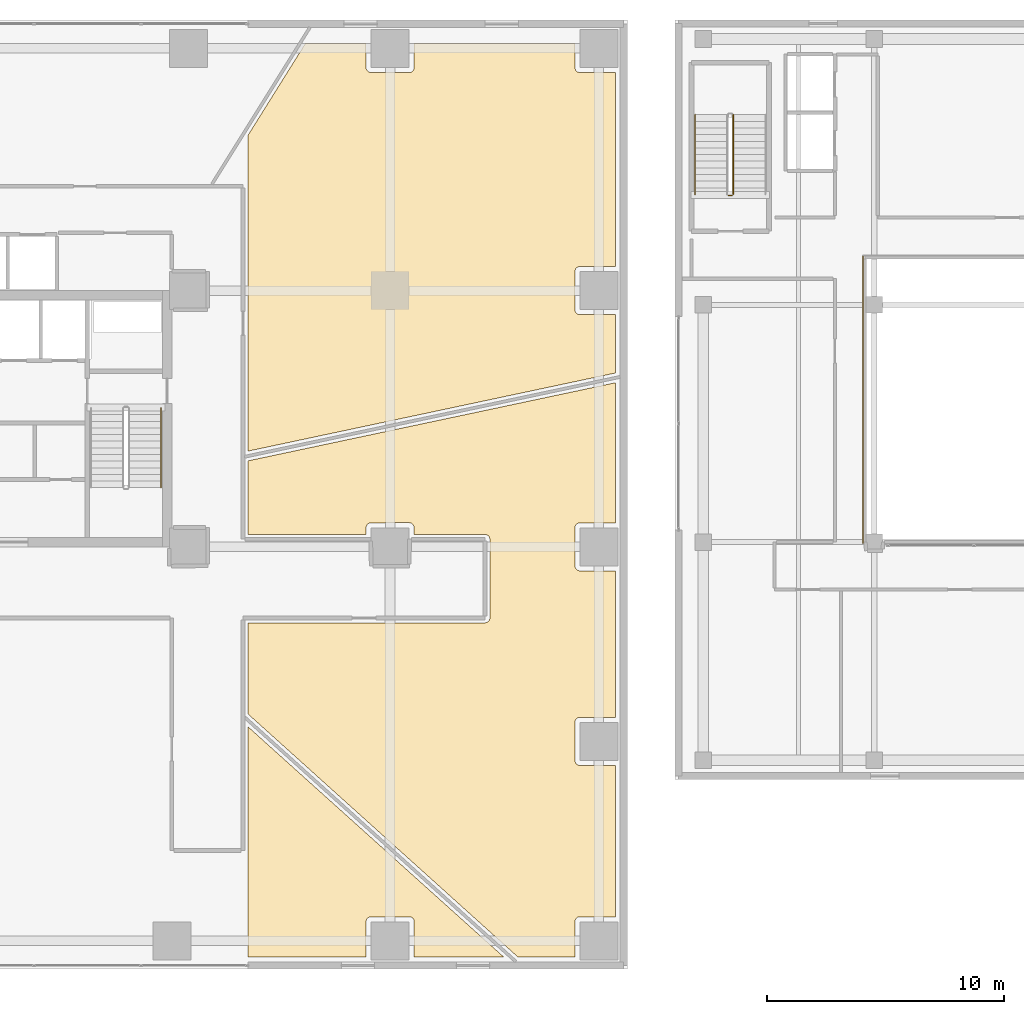
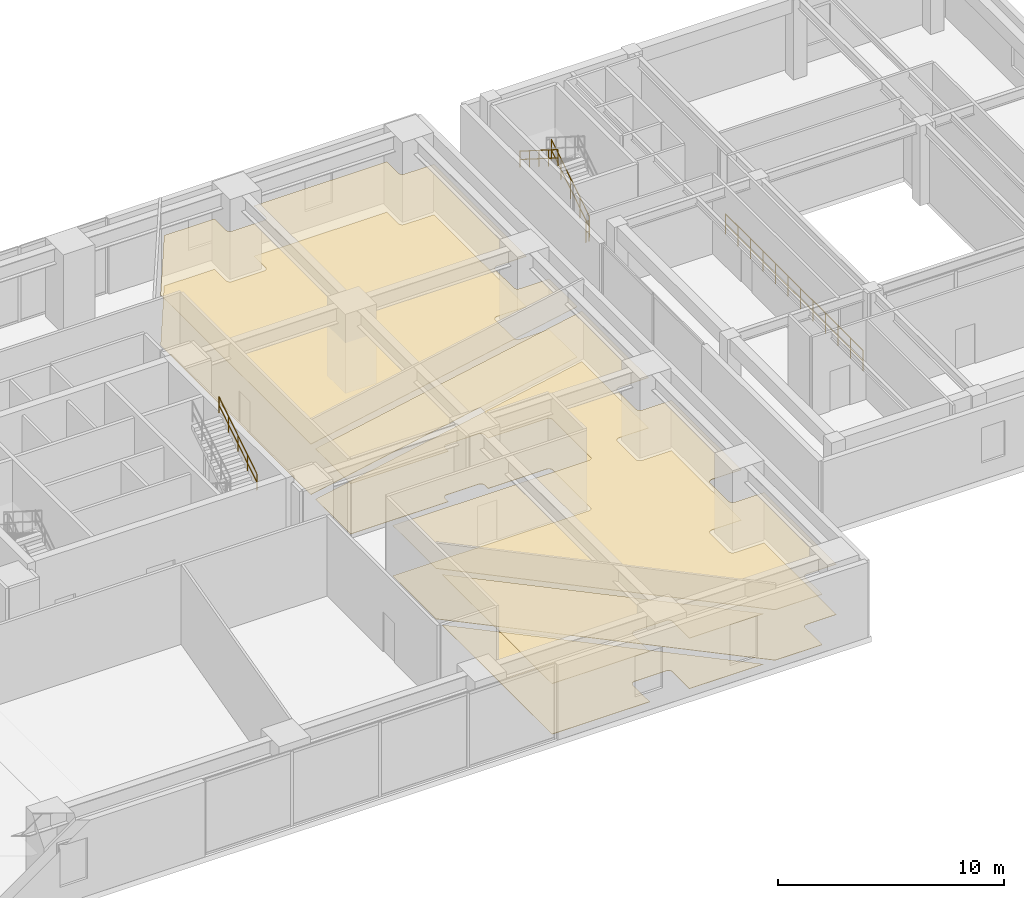
# One storey, part 23 of 24: 6 coverings, 5 railings.
"""IFC4 building model written with IfcOpenShell, lengths in metres."""

from ifc_helpers import new_model, si_unit, direction, frame, origin, origin_2d, place, context, subcontext, project, spatial, polyline, circle, outline, extrude, material, layer, layer_set, type_object, element, save


model = new_model("IFC4")

# Units and contexts
model_context = context("Model", 3, precision=1e-05, world=origin(), true_north=direction((0.0, 1.0)))
body_context = subcontext(model_context, "Body", "Model", "MODEL_VIEW")
ifc_project = project(units=[si_unit("LENGTHUNIT", "METRE"), si_unit("AREAUNIT", "SQUARE_METRE"), si_unit("VOLUMEUNIT", "CUBIC_METRE"), si_unit("PLANEANGLEUNIT", "RADIAN"), si_unit("MASSUNIT", "GRAM", prefix="KILO")], contexts=[model_context])

# Site, building, storey
site_placement = place(None, origin())
site = spatial("IfcSite", under=ifc_project, at=site_placement, CompositionType="ELEMENT")
building_placement = place(site_placement, origin())
building = spatial("IfcBuilding", under=site, at=building_placement, Name="Talar Marvaseh", CompositionType="ELEMENT")
storey_placement = place(building_placement, frame((0.0, 0.0, 9.800048828125)))
storey = spatial("IfcBuildingStorey", under=building, at=storey_placement, Name="L02", CompositionType="ELEMENT", Elevation=9.800048828125)

# Railings
ifc_material_1 = material(Name="Stainless Steel Grade 316", Category="steel")
railing_type_1 = type_object("IfcRailingType", Name="Brushed Stainless Wall Pitch Handrail 900", PredefinedType="HANDRAIL", material=ifc_material_1)
railing_1_placement = place(storey_placement, frame((32.35009765625, 28.2900390625, 2.476806640625)))
element("IfcRailing", 1, at=railing_1_placement, inside=storey, type_object=railing_type_1, Name="L02 ST-2 stair handrail 2", PredefinedType="HANDRAIL", context=body_context, shape_type="SweptSolid", body=[
    extrude(circle(Radius=0.02392578125, at=origin_2d()), frame((0.0, 0.0, 0.8759765625), z_axis=(0.0, 0.845372108799, 0.534177870812), x_axis=(-1.0, 0.0, 0.0)), (0.0, 0.0, 1.0), 3.974365234375),
    extrude(circle(Radius=0.02392578125, at=origin_2d()), frame((0.0, 0.0, 0.42578125), z_axis=(0.0, 0.845372108799, 0.534177870812), x_axis=(-1.0, 0.0, 0.0)), (0.0, 0.0, 1.0), 3.974365234375),
    extrude(circle(Radius=0.02099609375, at=origin_2d()), origin(), (0.0, 0.0, 1.0), 0.851806640625),
    extrude(circle(Radius=0.02099609375, at=origin_2d()), frame((0.0, 0.83984375, 0.53076171875)), (0.0, 0.0, 1.0), 0.851806640625),
    extrude(circle(Radius=0.02099609375, at=origin_2d()), frame((0.0, 1.679931640625, 1.0615234375)), (0.0, 0.0, 1.0), 0.851806640625),
    extrude(circle(Radius=0.02099609375, at=origin_2d()), frame((0.0, 2.52001953125, 1.59228515625)), (0.0, 0.0, 1.0), 0.851806640625),
    extrude(circle(Radius=0.02099609375, at=origin_2d()), frame((0.0, 3.35986328125, 2.123046875)), (0.0, 0.0, 1.0), 0.851806640625),
])
railing_2_placement = place(storey_placement, frame((54.85009765625, 44.010009765625, 2.476806640625)))
element("IfcRailing", 2, at=railing_2_placement, inside=storey, type_object=railing_type_1, Name="L02 MH-ST1 stair handrail 2", PredefinedType="HANDRAIL", context=body_context, shape_type="SweptSolid", body=[
    extrude(circle(Radius=0.02392578125, at=origin_2d()), frame((0.0, 0.0, 0.8759765625), z_axis=(0.0, -0.845389635667, 0.534150132366), x_axis=(1.0, 0.0, 0.0)), (0.0, 0.0, 1.0), 3.974609375),
    extrude(circle(Radius=0.02392578125, at=origin_2d()), frame((0.0, 0.0, 0.42578125), z_axis=(0.0, -0.845389635667, 0.534150132366), x_axis=(1.0, 0.0, 0.0)), (0.0, 0.0, 1.0), 3.974609375),
    extrude(circle(Radius=0.02099609375, at=origin_2d()), origin(), (0.0, 0.0, 1.0), 0.851806640625),
    extrude(circle(Radius=0.02099609375, at=origin_2d()), frame((0.0, -0.840087890625, 0.53076171875)), (0.0, 0.0, 1.0), 0.851806640625),
    extrude(circle(Radius=0.02099609375, at=origin_2d()), frame((0.0, -1.68017578125, 1.0615234375)), (0.0, 0.0, 1.0), 0.851806640625),
    extrude(circle(Radius=0.02099609375, at=origin_2d()), frame((0.0, -2.52001953125, 1.59228515625)), (0.0, 0.0, 1.0), 0.851806640625),
    extrude(circle(Radius=0.02099609375, at=origin_2d()), frame((0.0, -3.360107421875, 2.123046875)), (0.0, 0.0, 1.0), 0.851806640625),
])
ifc_material_2 = material(Name="Tempered Clear Glass", Category="glass")
railing_type_2 = type_object("IfcRailingType", Name="Interior Atrium Edge Balustrade 1120", PredefinedType="BALUSTRADE", material=ifc_material_2)
railing_3_placement = place(storey_placement, frame((61.919921875, 38.080078125, 0.0)))
element("IfcRailing", 3, at=railing_3_placement, inside=storey, type_object=railing_type_2, Name="L02 Market Courtyard Void Balustrade 4", PredefinedType="BALUSTRADE", context=body_context, shape_type="SweptSolid", body=[
    extrude(circle(Radius=0.02392578125, at=origin_2d()), frame((0.0, 0.0, 1.09619140625), z_axis=(0.0, -1.0, 0.0), x_axis=(1.0, 0.0, 0.0)), (0.0, 0.0, 1.0), 12.16015625),
    extrude(circle(Radius=0.02392578125, at=origin_2d()), frame((0.0, 0.0, 0.5361328125), z_axis=(0.0, -1.0, 0.0), x_axis=(1.0, 0.0, 0.0)), (0.0, 0.0, 1.0), 12.16015625),
    extrude(circle(Radius=0.02099609375, at=origin_2d()), origin(), (0.0, 0.0, 1.0), 1.072021484375),
    extrude(circle(Radius=0.02099609375, at=origin_2d()), frame((0.0, -1.10546875, 0.0)), (0.0, 0.0, 1.0), 1.072021484375),
    extrude(circle(Radius=0.02099609375, at=origin_2d()), frame((0.0, -2.2109375, 0.0)), (0.0, 0.0, 1.0), 1.072021484375),
    extrude(circle(Radius=0.02099609375, at=origin_2d()), frame((0.0, -3.31640625, 0.0)), (0.0, 0.0, 1.0), 1.072021484375),
    extrude(circle(Radius=0.02099609375, at=origin_2d()), frame((0.0, -4.421875, 0.0)), (0.0, 0.0, 1.0), 1.072021484375),
    extrude(circle(Radius=0.02099609375, at=origin_2d()), frame((0.0, -5.52734375, 0.0)), (0.0, 0.0, 1.0), 1.072021484375),
    extrude(circle(Radius=0.02099609375, at=origin_2d()), frame((0.0, -6.6328125, 0.0)), (0.0, 0.0, 1.0), 1.072021484375),
    extrude(circle(Radius=0.02099609375, at=origin_2d()), frame((0.0, -7.73828125, 0.0)), (0.0, 0.0, 1.0), 1.072021484375),
    extrude(circle(Radius=0.02099609375, at=origin_2d()), frame((0.0, -8.84375, 0.0)), (0.0, 0.0, 1.0), 1.072021484375),
    extrude(circle(Radius=0.02099609375, at=origin_2d()), frame((0.0, -9.94921875, 0.0)), (0.0, 0.0, 1.0), 1.072021484375),
    extrude(circle(Radius=0.02099609375, at=origin_2d()), frame((0.0, -11.0546875, 0.0)), (0.0, 0.0, 1.0), 1.072021484375),
    extrude(circle(Radius=0.02099609375, at=origin_2d()), frame((0.0, -12.16015625, 0.0)), (0.0, 0.0, 1.0), 1.072021484375),
])
railing_type_3 = type_object("IfcRailingType", Name="Painted Steel Core Stair Well Guardrail 1150", PredefinedType="GUARDRAIL", material=ifc_material_1)
railing_4_placement = place(storey_placement, frame((56.4599609375, 40.64990234375, 0.1767578125)))
element("IfcRailing", 4, at=railing_4_placement, inside=storey, type_object=railing_type_3, Name="L02 MH-ST1 stair guard 1", PredefinedType="GUARDRAIL", context=body_context, shape_type="SweptSolid", body=[
    extrude(circle(Radius=0.02392578125, at=origin_2d()), frame((0.0, 0.0, 1.1259765625), z_axis=(0.0, 0.845361898145, 0.534194029511), x_axis=(-1.0, 0.0, 0.0)), (0.0, 0.0, 1.0), 3.974853515625),
    extrude(circle(Radius=0.02392578125, at=origin_2d()), frame((0.0, 0.0, 0.55078125), z_axis=(0.0, 0.845361898145, 0.534194029511), x_axis=(-1.0, 0.0, 0.0)), (0.0, 0.0, 1.0), 3.974853515625),
    extrude(circle(Radius=0.02099609375, at=origin_2d()), origin(), (0.0, 0.0, 1.0), 1.101806640625),
    extrude(circle(Radius=0.02099609375, at=origin_2d()), frame((0.0, 0.840087890625, 0.53076171875)), (0.0, 0.0, 1.0), 1.101806640625),
    extrude(circle(Radius=0.02099609375, at=origin_2d()), frame((0.0, 1.68017578125, 1.0615234375)), (0.0, 0.0, 1.0), 1.101806640625),
    extrude(circle(Radius=0.02099609375, at=origin_2d()), frame((0.0, 2.52001953125, 1.592529296875)), (0.0, 0.0, 1.0), 1.101806640625),
    extrude(circle(Radius=0.02099609375, at=origin_2d()), frame((0.0, 3.360107421875, 2.123291015625)), (0.0, 0.0, 1.0), 1.101806640625),
])
railing_5_placement = place(storey_placement, frame((56.409912109375, 40.60009765625, 0.0)))
element("IfcRailing", 5, at=railing_5_placement, inside=storey, type_object=railing_type_3, Name="L02 MH-ST1 stair guard 4", PredefinedType="GUARDRAIL", context=body_context, shape_type="SweptSolid", body=[
    extrude(circle(Radius=0.02392578125, at=origin_2d()), frame((0.0, 0.0, 1.1259765625), z_axis=(-1.0, 0.0, 0.0), x_axis=(0.0, -1.0, 0.0)), (0.0, 0.0, 1.0), 0.159912109375),
    extrude(circle(Radius=0.02392578125, at=origin_2d()), frame((0.0, 0.0, 0.55078125), z_axis=(-1.0, 0.0, 0.0), x_axis=(0.0, -1.0, 0.0)), (0.0, 0.0, 1.0), 0.159912109375),
    extrude(circle(Radius=0.02099609375, at=origin_2d()), origin(), (0.0, 0.0, 1.0), 1.101806640625),
    extrude(circle(Radius=0.02099609375, at=origin_2d()), frame((-0.159912109375, 0.0, 0.0)), (0.0, 0.0, 1.0), 1.101806640625),
])

# Coverings
ifc_material_3 = material(Name="Mineral Fibre Acoustic Ceiling")
ifc_layer_1 = layer(ifc_material_3, 0.02490234375)
ifc_layer_set_1 = layer_set([ifc_layer_1], Name="Mineral Fibre Acoustic Ceiling")
covering_type_1 = type_object("IfcCoveringType", Name="Perforated Mineral Fibre Acoustic Suspended Ceiling", PredefinedType="CEILING", material=ifc_layer_set_1)
covering_1_placement = place(storey_placement, frame((0.0, 0.0, 2.719970703125)))
element("IfcCovering", 6, at=covering_1_placement, inside=storey, type_object=covering_type_1, Name="L02 Auditorium Pre-Function Foyer Acoustic Ceiling", PredefinedType="CEILING", context=body_context, shape_type="SweptSolid", body=[
    extrude(outline(polyline([(46.791748046875, 8.510009765625), (43.010498046875, 8.510009765625), (43.010498046875, 10.010498046875), (43.009521484375, 10.0302734375), (43.0068359375, 10.049560546875), (43.001953125, 10.068603515625), (42.995361328125, 10.087158203125), (42.987060546875, 10.10498046875), (42.976806640625, 10.12158203125), (42.965087890625, 10.137451171875), (42.951904296875, 10.152099609375), (42.9375, 10.165283203125), (42.921630859375, 10.177001953125), (42.90478515625, 10.18701171875), (42.88720703125, 10.1953125), (42.86865234375, 10.201904296875), (42.849609375, 10.206787109375), (42.830078125, 10.209716796875), (42.810546875, 10.210693359375), (41.189453125, 10.210693359375), (41.169921875, 10.209716796875), (41.150390625, 10.206787109375), (41.13134765625, 10.201904296875), (41.113037109375, 10.1953125), (41.09521484375, 10.18701171875), (41.07861328125, 10.177001953125), (41.062744140625, 10.165283203125), (41.048095703125, 10.152099609375), (41.034912109375, 10.1376953125), (41.023193359375, 10.1220703125), (41.01318359375, 10.105224609375), (41.0048828125, 10.08740234375), (40.998046875, 10.069091796875), (40.993408203125, 10.050048828125), (40.990478515625, 10.03076171875), (40.989501953125, 10.010986328125), (40.9853515625, 8.510009765625), (36.0, 8.510009765625), (36.0, 13.0), (36.0, 18.226806640625), (46.791748046875, 8.510009765625)])), origin(), (0.0, 0.0, 1.0), 0.02490234375),
])
covering_2_placement = place(storey_placement, frame((0.0, 0.0, 2.719970703125)))
element("IfcCovering", 7, at=covering_2_placement, inside=storey, type_object=covering_type_1, Name="L02 Green Room and Performer Lounge Acoustic Ceiling", PredefinedType="CEILING", context=body_context, shape_type="SweptSolid", body=[
    extrude(outline(polyline([(36.0, 22.60009765625), (46.0, 22.60009765625), (46.01953125, 22.60107421875), (46.0390625, 22.603759765625), (46.05810546875, 22.608642578125), (46.076416015625, 22.615234375), (46.09423828125, 22.62353515625), (46.111083984375, 22.6337890625), (46.126953125, 22.6455078125), (46.141357421875, 22.65869140625), (46.154541015625, 22.673095703125), (46.166259765625, 22.68896484375), (46.176513671875, 22.705810546875), (46.184814453125, 22.723388671875), (46.19140625, 22.741943359375), (46.1962890625, 22.760986328125), (46.198974609375, 22.780517578125), (46.199951171875, 22.800048828125), (46.199951171875, 26.1201171875), (46.198974609375, 26.1396484375), (46.1962890625, 26.158935546875), (46.19140625, 26.177978515625), (46.184814453125, 26.196533203125), (46.176513671875, 26.21435546875), (46.166259765625, 26.231201171875), (46.154541015625, 26.246826171875), (46.141357421875, 26.261474609375), (46.126953125, 26.274658203125), (46.111083984375, 26.286376953125), (46.09423828125, 26.29638671875), (46.076416015625, 26.3046875), (46.05810546875, 26.311279296875), (46.0390625, 26.316162109375), (46.01953125, 26.319091796875), (46.0, 26.320068359375), (43.014892578125, 26.320068359375), (43.014892578125, 26.60009765625), (43.013916015625, 26.61962890625), (43.01123046875, 26.638916015625), (43.00634765625, 26.658203125), (42.999755859375, 26.676513671875), (42.991455078125, 26.6943359375), (42.981201171875, 26.711181640625), (42.969482421875, 26.726806640625), (42.956298828125, 26.741455078125), (42.94140625, 26.75634765625), (42.927001953125, 26.76953125), (42.9111328125, 26.78125), (42.894287109375, 26.79150390625), (42.87646484375, 26.7998046875), (42.85791015625, 26.806396484375), (42.839111328125, 26.811279296875), (42.819580078125, 26.81396484375), (42.7998046875, 26.81494140625), (41.195556640625, 26.814453125), (41.1767578125, 26.8134765625), (41.158203125, 26.810791015625), (41.14013671875, 26.806396484375), (41.122314453125, 26.800537109375), (41.105224609375, 26.79296875), (41.089111328125, 26.78369140625), (41.07373046875, 26.77294921875), (41.059326171875, 26.760986328125), (41.04638671875, 26.74755859375), (41.034423828125, 26.73291015625), (41.02392578125, 26.718505859375), (41.01220703125, 26.700927734375), (41.002685546875, 26.68212890625), (40.9951171875, 26.662353515625), (40.989501953125, 26.64208984375), (40.986083984375, 26.62109375), (40.985107421875, 26.60009765625), (40.985107421875, 26.320068359375), (36.0, 26.320068359375), (36.0, 29.421142578125), (51.489990234375, 32.713623046875), (51.489990234375, 26.810546875), (49.989501953125, 26.810546875), (49.9697265625, 26.8095703125), (49.950439453125, 26.806884765625), (49.931396484375, 26.802001953125), (49.9130859375, 26.79541015625), (49.895263671875, 26.787109375), (49.87841796875, 26.777099609375), (49.86279296875, 26.765380859375), (49.84814453125, 26.752197265625), (49.8349609375, 26.73779296875), (49.8232421875, 26.721923828125), (49.813232421875, 26.705078125), (49.8046875, 26.6875), (49.798095703125, 26.669189453125), (49.793212890625, 26.650146484375), (49.790283203125, 26.630615234375), (49.789306640625, 26.611083984375), (49.78515625, 24.9990234375), (49.785888671875, 24.98046875), (49.78857421875, 24.9619140625), (49.792724609375, 24.94384765625), (49.798583984375, 24.92626953125), (49.80615234375, 24.9091796875), (49.815185546875, 24.89306640625), (49.82568359375, 24.877685546875), (49.837646484375, 24.86328125), (49.850830078125, 24.850341796875), (49.86572265625, 24.8369140625), (49.8798828125, 24.824951171875), (49.895263671875, 24.814697265625), (49.911376953125, 24.8056640625), (49.92822265625, 24.79833984375), (49.94580078125, 24.79248046875), (49.9638671875, 24.788330078125), (49.982177734375, 24.785888671875), (50.00048828125, 24.784912109375), (51.489990234375, 24.7890625), (51.489990234375, 18.610595703125), (49.989501953125, 18.610595703125), (49.9697265625, 18.609619140625), (49.950439453125, 18.606689453125), (49.931396484375, 18.60205078125), (49.9130859375, 18.595458984375), (49.895263671875, 18.587158203125), (49.87841796875, 18.576904296875), (49.86279296875, 18.5654296875), (49.84814453125, 18.55224609375), (49.8349609375, 18.53759765625), (49.8232421875, 18.52197265625), (49.813232421875, 18.505126953125), (49.8046875, 18.487548828125), (49.798095703125, 18.468994140625), (49.793212890625, 18.4501953125), (49.790283203125, 18.4306640625), (49.789306640625, 18.4111328125), (49.78515625, 16.799072265625), (49.785888671875, 16.780517578125), (49.78857421875, 16.761962890625), (49.792724609375, 16.743896484375), (49.798583984375, 16.726318359375), (49.80615234375, 16.709228515625), (49.815185546875, 16.693115234375), (49.82568359375, 16.677734375), (49.837646484375, 16.663330078125), (49.850830078125, 16.650390625), (49.86572265625, 16.63671875), (49.8798828125, 16.625), (49.895263671875, 16.614501953125), (49.911376953125, 16.605712890625), (49.92822265625, 16.598388671875), (49.94580078125, 16.592529296875), (49.9638671875, 16.58837890625), (49.982177734375, 16.585693359375), (50.00048828125, 16.5849609375), (51.489990234375, 16.589111328125), (51.489990234375, 10.210693359375), (49.989501953125, 10.210693359375), (49.9697265625, 10.209716796875), (49.950439453125, 10.206787109375), (49.931396484375, 10.201904296875), (49.912841796875, 10.1953125), (49.89501953125, 10.18701171875), (49.87841796875, 10.177001953125), (49.862548828125, 10.165283203125), (49.847900390625, 10.152099609375), (49.834716796875, 10.137451171875), (49.822998046875, 10.12158203125), (49.81298828125, 10.10498046875), (49.8046875, 10.087158203125), (49.798095703125, 10.068603515625), (49.793212890625, 10.049560546875), (49.790283203125, 10.0302734375), (49.789306640625, 10.010498046875), (49.789306640625, 8.510009765625), (47.389404296875, 8.510009765625), (36.0, 18.764892578125), (36.0, 22.60009765625)])), origin(), (0.0, 0.0, 1.0), 0.02490234375),
])
covering_3_placement = place(storey_placement, frame((0.0, 0.0, 2.719970703125)))
element("IfcCovering", 8, at=covering_3_placement, inside=storey, type_object=covering_type_1, Name="L02 Stage Technical Control Office Acoustic Ceiling", PredefinedType="CEILING", context=body_context, shape_type="SweptSolid", body=[
    extrude(outline(polyline([(36.0, 43.1259765625), (38.4208984375, 47.0), (40.98779296875, 47.0), (40.985107421875, 45.9990234375), (40.98583984375, 45.98046875), (40.988525390625, 45.9619140625), (40.99267578125, 45.94384765625), (40.99853515625, 45.92626953125), (41.006103515625, 45.9091796875), (41.01513671875, 45.89306640625), (41.025634765625, 45.877685546875), (41.03759765625, 45.86328125), (41.05078125, 45.850341796875), (41.065673828125, 45.8369140625), (41.080078125, 45.824951171875), (41.09521484375, 45.814697265625), (41.111328125, 45.8056640625), (41.12841796875, 45.79833984375), (41.145751953125, 45.79248046875), (41.163818359375, 45.788330078125), (41.18212890625, 45.785888671875), (41.200439453125, 45.784912109375), (42.81103515625, 45.789306640625), (42.830810546875, 45.790283203125), (42.85009765625, 45.793212890625), (42.869140625, 45.798095703125), (42.887451171875, 45.8046875), (42.9052734375, 45.813232421875), (42.922119140625, 45.8232421875), (42.937744140625, 45.8349609375), (42.9521484375, 45.84814453125), (42.96533203125, 45.86279296875), (42.97705078125, 45.87841796875), (42.987060546875, 45.895263671875), (42.995361328125, 45.9130859375), (43.001953125, 45.931396484375), (43.0068359375, 45.950439453125), (43.009521484375, 45.9697265625), (43.010498046875, 45.989501953125), (43.010498046875, 47.0), (49.789306640625, 47.0), (49.789306640625, 45.989501953125), (49.790283203125, 45.9697265625), (49.793212890625, 45.950439453125), (49.798095703125, 45.931396484375), (49.8046875, 45.9130859375), (49.81298828125, 45.895263671875), (49.822998046875, 45.87841796875), (49.834716796875, 45.86279296875), (49.847900390625, 45.84814453125), (49.8623046875, 45.8349609375), (49.8779296875, 45.8232421875), (49.894775390625, 45.813232421875), (49.91259765625, 45.8046875), (49.930908203125, 45.798095703125), (49.949951171875, 45.793212890625), (49.96923828125, 45.790283203125), (49.989013671875, 45.789306640625), (51.489990234375, 45.785400390625), (51.489990234375, 37.610595703125), (49.989501953125, 37.610595703125), (49.9697265625, 37.609619140625), (49.950439453125, 37.606689453125), (49.931396484375, 37.60205078125), (49.912841796875, 37.595458984375), (49.89501953125, 37.5869140625), (49.87841796875, 37.576904296875), (49.862548828125, 37.565185546875), (49.847900390625, 37.552001953125), (49.834716796875, 37.53759765625), (49.822998046875, 37.521728515625), (49.81298828125, 37.5048828125), (49.8046875, 37.487060546875), (49.798095703125, 37.46875), (49.793212890625, 37.44970703125), (49.790283203125, 37.43017578125), (49.789306640625, 37.41064453125), (49.789306640625, 35.789306640625), (49.790283203125, 35.769775390625), (49.793212890625, 35.75048828125), (49.798095703125, 35.7314453125), (49.8046875, 35.712890625), (49.81298828125, 35.6953125), (49.822998046875, 35.678466796875), (49.834716796875, 35.66259765625), (49.847900390625, 35.648193359375), (49.8623046875, 35.635009765625), (49.8779296875, 35.623291015625), (49.894775390625, 35.61328125), (49.91259765625, 35.604736328125), (49.930908203125, 35.59814453125), (49.949951171875, 35.59326171875), (49.96923828125, 35.59033203125), (49.989013671875, 35.58935546875), (51.489990234375, 35.58544921875), (51.489990234375, 33.12255859375), (36.0, 29.830078125), (36.0, 41.0), (36.0, 43.1259765625)])), origin(), (0.0, 0.0, 1.0), 0.02490234375),
])
ifc_material_4 = material(Name="Porcelain Stoneware Tile", Category="masonry")
ifc_layer_2 = layer(ifc_material_4, 0.02001953125)
ifc_layer_set_2 = layer_set([ifc_layer_2], Name="Porcelain Stoneware Tile")
covering_type_2 = type_object("IfcCoveringType", Name="Polished Porcelain Stoneware Gallery Flooring", PredefinedType="FLOORING", material=ifc_layer_set_2)
covering_4_placement = place(storey_placement, origin())
element("IfcCovering", 9, at=covering_4_placement, inside=storey, type_object=covering_type_2, Name="L02 Auditorium Pre-Function Foyer Flooring", PredefinedType="FLOORING", context=body_context, shape_type="SweptSolid", body=[
    extrude(outline(polyline([(46.791748046875, 8.510009765625), (43.010498046875, 8.510009765625), (43.010498046875, 10.010498046875), (43.009521484375, 10.0302734375), (43.0068359375, 10.049560546875), (43.001953125, 10.068603515625), (42.995361328125, 10.087158203125), (42.987060546875, 10.10498046875), (42.976806640625, 10.12158203125), (42.965087890625, 10.137451171875), (42.951904296875, 10.152099609375), (42.9375, 10.165283203125), (42.921630859375, 10.177001953125), (42.90478515625, 10.18701171875), (42.88720703125, 10.1953125), (42.86865234375, 10.201904296875), (42.849609375, 10.206787109375), (42.830078125, 10.209716796875), (42.810546875, 10.210693359375), (41.189453125, 10.210693359375), (41.169921875, 10.209716796875), (41.150390625, 10.206787109375), (41.13134765625, 10.201904296875), (41.113037109375, 10.1953125), (41.09521484375, 10.18701171875), (41.07861328125, 10.177001953125), (41.062744140625, 10.165283203125), (41.048095703125, 10.152099609375), (41.034912109375, 10.1376953125), (41.023193359375, 10.1220703125), (41.01318359375, 10.105224609375), (41.0048828125, 10.08740234375), (40.998046875, 10.069091796875), (40.993408203125, 10.050048828125), (40.990478515625, 10.03076171875), (40.989501953125, 10.010986328125), (40.9853515625, 8.510009765625), (36.0, 8.510009765625), (36.0, 13.0), (36.0, 18.226806640625), (46.791748046875, 8.510009765625)])), origin(), (0.0, 0.0, 1.0), 0.02001953125),
])
covering_5_placement = place(storey_placement, origin())
element("IfcCovering", 10, at=covering_5_placement, inside=storey, type_object=covering_type_2, Name="L02 Green Room and Performer Lounge Flooring", PredefinedType="FLOORING", context=body_context, shape_type="SweptSolid", body=[
    extrude(outline(polyline([(36.0, 22.60009765625), (46.0, 22.60009765625), (46.01953125, 22.60107421875), (46.0390625, 22.603759765625), (46.05810546875, 22.608642578125), (46.076416015625, 22.615234375), (46.09423828125, 22.62353515625), (46.111083984375, 22.6337890625), (46.126953125, 22.6455078125), (46.141357421875, 22.65869140625), (46.154541015625, 22.673095703125), (46.166259765625, 22.68896484375), (46.176513671875, 22.705810546875), (46.184814453125, 22.723388671875), (46.19140625, 22.741943359375), (46.1962890625, 22.760986328125), (46.198974609375, 22.780517578125), (46.199951171875, 22.800048828125), (46.199951171875, 26.1201171875), (46.198974609375, 26.1396484375), (46.1962890625, 26.158935546875), (46.19140625, 26.177978515625), (46.184814453125, 26.196533203125), (46.176513671875, 26.21435546875), (46.166259765625, 26.231201171875), (46.154541015625, 26.246826171875), (46.141357421875, 26.261474609375), (46.126953125, 26.274658203125), (46.111083984375, 26.286376953125), (46.09423828125, 26.29638671875), (46.076416015625, 26.3046875), (46.05810546875, 26.311279296875), (46.0390625, 26.316162109375), (46.01953125, 26.319091796875), (46.0, 26.320068359375), (43.014892578125, 26.320068359375), (43.014892578125, 26.60009765625), (43.013916015625, 26.61962890625), (43.01123046875, 26.638916015625), (43.00634765625, 26.658203125), (42.999755859375, 26.676513671875), (42.991455078125, 26.6943359375), (42.981201171875, 26.711181640625), (42.969482421875, 26.726806640625), (42.956298828125, 26.741455078125), (42.94140625, 26.75634765625), (42.927001953125, 26.76953125), (42.9111328125, 26.78125), (42.894287109375, 26.79150390625), (42.87646484375, 26.7998046875), (42.85791015625, 26.806396484375), (42.839111328125, 26.811279296875), (42.819580078125, 26.81396484375), (42.7998046875, 26.81494140625), (41.195556640625, 26.814453125), (41.1767578125, 26.8134765625), (41.158203125, 26.810791015625), (41.14013671875, 26.806396484375), (41.122314453125, 26.800537109375), (41.105224609375, 26.79296875), (41.089111328125, 26.78369140625), (41.07373046875, 26.77294921875), (41.059326171875, 26.760986328125), (41.04638671875, 26.74755859375), (41.034423828125, 26.73291015625), (41.02392578125, 26.718505859375), (41.01220703125, 26.700927734375), (41.002685546875, 26.68212890625), (40.9951171875, 26.662353515625), (40.989501953125, 26.64208984375), (40.986083984375, 26.62109375), (40.985107421875, 26.60009765625), (40.985107421875, 26.320068359375), (36.0, 26.320068359375), (36.0, 29.421142578125), (51.489990234375, 32.713623046875), (51.489990234375, 26.810546875), (49.989501953125, 26.810546875), (49.9697265625, 26.8095703125), (49.950439453125, 26.806884765625), (49.931396484375, 26.802001953125), (49.9130859375, 26.79541015625), (49.895263671875, 26.787109375), (49.87841796875, 26.777099609375), (49.86279296875, 26.765380859375), (49.84814453125, 26.752197265625), (49.8349609375, 26.73779296875), (49.8232421875, 26.721923828125), (49.813232421875, 26.705078125), (49.8046875, 26.6875), (49.798095703125, 26.669189453125), (49.793212890625, 26.650146484375), (49.790283203125, 26.630615234375), (49.789306640625, 26.611083984375), (49.78515625, 24.9990234375), (49.785888671875, 24.98046875), (49.78857421875, 24.9619140625), (49.792724609375, 24.94384765625), (49.798583984375, 24.92626953125), (49.80615234375, 24.9091796875), (49.815185546875, 24.89306640625), (49.82568359375, 24.877685546875), (49.837646484375, 24.86328125), (49.850830078125, 24.850341796875), (49.86572265625, 24.8369140625), (49.8798828125, 24.824951171875), (49.895263671875, 24.814697265625), (49.911376953125, 24.8056640625), (49.92822265625, 24.79833984375), (49.94580078125, 24.79248046875), (49.9638671875, 24.788330078125), (49.982177734375, 24.785888671875), (50.00048828125, 24.784912109375), (51.489990234375, 24.7890625), (51.489990234375, 18.610595703125), (49.989501953125, 18.610595703125), (49.9697265625, 18.609619140625), (49.950439453125, 18.606689453125), (49.931396484375, 18.60205078125), (49.9130859375, 18.595458984375), (49.895263671875, 18.587158203125), (49.87841796875, 18.576904296875), (49.86279296875, 18.5654296875), (49.84814453125, 18.55224609375), (49.8349609375, 18.53759765625), (49.8232421875, 18.52197265625), (49.813232421875, 18.505126953125), (49.8046875, 18.487548828125), (49.798095703125, 18.468994140625), (49.793212890625, 18.4501953125), (49.790283203125, 18.4306640625), (49.789306640625, 18.4111328125), (49.78515625, 16.799072265625), (49.785888671875, 16.780517578125), (49.78857421875, 16.761962890625), (49.792724609375, 16.743896484375), (49.798583984375, 16.726318359375), (49.80615234375, 16.709228515625), (49.815185546875, 16.693115234375), (49.82568359375, 16.677734375), (49.837646484375, 16.663330078125), (49.850830078125, 16.650390625), (49.86572265625, 16.63671875), (49.8798828125, 16.625), (49.895263671875, 16.614501953125), (49.911376953125, 16.605712890625), (49.92822265625, 16.598388671875), (49.94580078125, 16.592529296875), (49.9638671875, 16.58837890625), (49.982177734375, 16.585693359375), (50.00048828125, 16.5849609375), (51.489990234375, 16.589111328125), (51.489990234375, 10.210693359375), (49.989501953125, 10.210693359375), (49.9697265625, 10.209716796875), (49.950439453125, 10.206787109375), (49.931396484375, 10.201904296875), (49.912841796875, 10.1953125), (49.89501953125, 10.18701171875), (49.87841796875, 10.177001953125), (49.862548828125, 10.165283203125), (49.847900390625, 10.152099609375), (49.834716796875, 10.137451171875), (49.822998046875, 10.12158203125), (49.81298828125, 10.10498046875), (49.8046875, 10.087158203125), (49.798095703125, 10.068603515625), (49.793212890625, 10.049560546875), (49.790283203125, 10.0302734375), (49.789306640625, 10.010498046875), (49.789306640625, 8.510009765625), (47.389404296875, 8.510009765625), (36.0, 18.764892578125), (36.0, 22.60009765625)])), origin(), (0.0, 0.0, 1.0), 0.02001953125),
])
covering_6_placement = place(storey_placement, origin())
element("IfcCovering", 11, at=covering_6_placement, inside=storey, type_object=covering_type_2, Name="L02 Stage Technical Control Office Flooring", PredefinedType="FLOORING", context=body_context, shape_type="SweptSolid", body=[
    extrude(outline(polyline([(36.0, 43.1259765625), (38.4208984375, 47.0), (40.98779296875, 47.0), (40.985107421875, 45.9990234375), (40.98583984375, 45.98046875), (40.988525390625, 45.9619140625), (40.99267578125, 45.94384765625), (40.99853515625, 45.92626953125), (41.006103515625, 45.9091796875), (41.01513671875, 45.89306640625), (41.025634765625, 45.877685546875), (41.03759765625, 45.86328125), (41.05078125, 45.850341796875), (41.065673828125, 45.8369140625), (41.080078125, 45.824951171875), (41.09521484375, 45.814697265625), (41.111328125, 45.8056640625), (41.12841796875, 45.79833984375), (41.145751953125, 45.79248046875), (41.163818359375, 45.788330078125), (41.18212890625, 45.785888671875), (41.200439453125, 45.784912109375), (42.81103515625, 45.789306640625), (42.830810546875, 45.790283203125), (42.85009765625, 45.793212890625), (42.869140625, 45.798095703125), (42.887451171875, 45.8046875), (42.9052734375, 45.813232421875), (42.922119140625, 45.8232421875), (42.937744140625, 45.8349609375), (42.9521484375, 45.84814453125), (42.96533203125, 45.86279296875), (42.97705078125, 45.87841796875), (42.987060546875, 45.895263671875), (42.995361328125, 45.9130859375), (43.001953125, 45.931396484375), (43.0068359375, 45.950439453125), (43.009521484375, 45.9697265625), (43.010498046875, 45.989501953125), (43.010498046875, 47.0), (49.789306640625, 47.0), (49.789306640625, 45.989501953125), (49.790283203125, 45.9697265625), (49.793212890625, 45.950439453125), (49.798095703125, 45.931396484375), (49.8046875, 45.9130859375), (49.81298828125, 45.895263671875), (49.822998046875, 45.87841796875), (49.834716796875, 45.86279296875), (49.847900390625, 45.84814453125), (49.8623046875, 45.8349609375), (49.8779296875, 45.8232421875), (49.894775390625, 45.813232421875), (49.91259765625, 45.8046875), (49.930908203125, 45.798095703125), (49.949951171875, 45.793212890625), (49.96923828125, 45.790283203125), (49.989013671875, 45.789306640625), (51.489990234375, 45.785400390625), (51.489990234375, 37.610595703125), (49.989501953125, 37.610595703125), (49.9697265625, 37.609619140625), (49.950439453125, 37.606689453125), (49.931396484375, 37.60205078125), (49.912841796875, 37.595458984375), (49.89501953125, 37.5869140625), (49.87841796875, 37.576904296875), (49.862548828125, 37.565185546875), (49.847900390625, 37.552001953125), (49.834716796875, 37.53759765625), (49.822998046875, 37.521728515625), (49.81298828125, 37.5048828125), (49.8046875, 37.487060546875), (49.798095703125, 37.46875), (49.793212890625, 37.44970703125), (49.790283203125, 37.43017578125), (49.789306640625, 37.41064453125), (49.789306640625, 35.789306640625), (49.790283203125, 35.769775390625), (49.793212890625, 35.75048828125), (49.798095703125, 35.7314453125), (49.8046875, 35.712890625), (49.81298828125, 35.6953125), (49.822998046875, 35.678466796875), (49.834716796875, 35.66259765625), (49.847900390625, 35.648193359375), (49.8623046875, 35.635009765625), (49.8779296875, 35.623291015625), (49.894775390625, 35.61328125), (49.91259765625, 35.604736328125), (49.930908203125, 35.59814453125), (49.949951171875, 35.59326171875), (49.96923828125, 35.59033203125), (49.989013671875, 35.58935546875), (51.489990234375, 35.58544921875), (51.489990234375, 33.12255859375), (36.0, 29.830078125), (36.0, 41.0), (36.0, 43.1259765625)])), origin(), (0.0, 0.0, 1.0), 0.02001953125),
])

save(model, "model.ifc")
